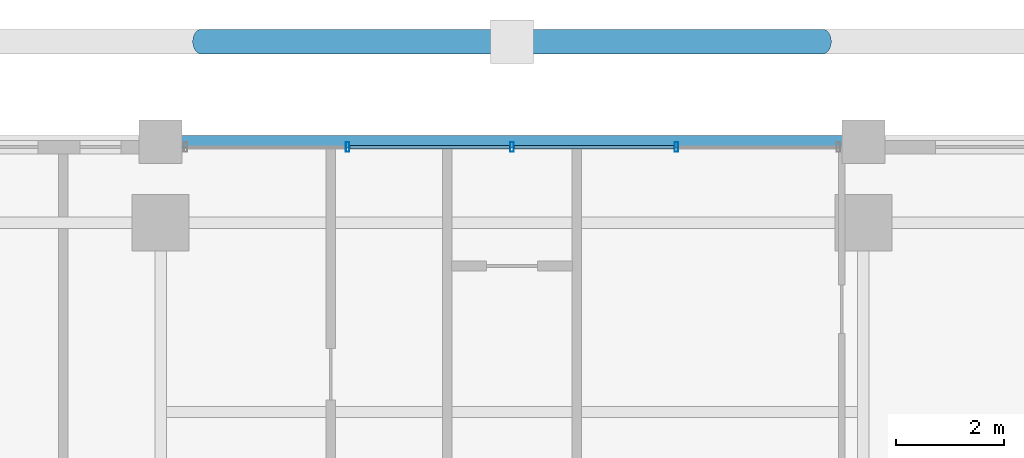
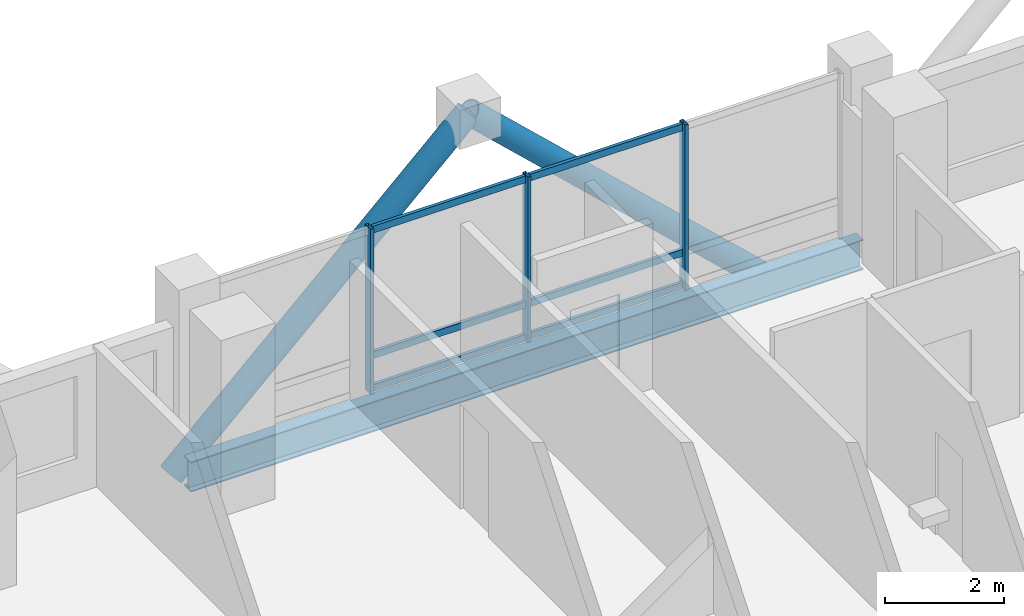
# One storey, part 15 of 24: 11 members, 1 beam, 1 element without a shape of its own.
"""IFC4 building model written with IfcOpenShell, lengths in metres."""

import ifcopenshell
import ifcopenshell.guid

model = None  # the IFC model being written
_history = None  # IfcOwnerHistory: only IFC2X3 demands one
_inside = {}  # id of a spatial element -> (the spatial element, [elements in it])
_under = {}  # id of a project, library or spatial element -> (it, [spatial elements below it])
_declared = {}  # id of a project -> (the project, [libraries it declares])
_typed = {}  # id of a type object -> (the type object, [elements of that type])
_made_of = {}  # id of a material, layer set ... -> (it, [elements and type objects made of it])


def new_model(schema):
    """Start an empty IFC model of exactly this schema.

    Asked for "IFC4X3", IfcOpenShell would pick the latest addendum, in which some entities
    have other attributes; the version numbers below select the first issue.
    IFC2X3 requires an IfcOwnerHistory on every rooted entity: one is made here for all.
    """
    global model, _history
    if schema == "IFC4X3":
        model = ifcopenshell.file(schema_version=(4, 3, 0, 0))
    else:
        model = ifcopenshell.file(schema=schema)
    _inside.clear()
    _under.clear()
    _declared.clear()
    _typed.clear()
    _made_of.clear()
    _history = None
    if model.schema == "IFC2X3":
        org = make("IfcOrganization", Name="unknown")
        user = make(
            "IfcPersonAndOrganization",
            ThePerson=make("IfcPerson", FamilyName="unknown"),
            TheOrganization=org,
        )
        app = make(
            "IfcApplication",
            ApplicationDeveloper=org,
            Version="unknown",
            ApplicationFullName="unknown",
            ApplicationIdentifier="unknown",
        )
        _history = make(
            "IfcOwnerHistory",
            OwningUser=user,
            OwningApplication=app,
            ChangeAction="ADDED",
            CreationDate=0,
        )
    return model


def make(cls, **values):
    """One entity of the class cls with the attributes given. An attribute that is None is left unset."""
    return model.create_entity(
        cls, **{name: value for name, value in values.items() if value is not None}
    )


def rooted(cls, **values):
    """An entity with a GlobalId (a new one), such as an element, a storey or a relation."""
    return make(cls, GlobalId=ifcopenshell.guid.new(), OwnerHistory=_history, **values)


def si_unit(unit_type, name, prefix=None):
    """IfcSIUnit, for example si_unit("LENGTHUNIT", "METRE", prefix="MILLI")."""
    return make("IfcSIUnit", UnitType=unit_type, Prefix=prefix, Name=name)


def assignment(units):
    """IfcUnitAssignment: the units of a project."""
    return None if units is None else make("IfcUnitAssignment", Units=units)


def point(xyz):
    """IfcCartesianPoint."""
    return None if xyz is None else make("IfcCartesianPoint", Coordinates=xyz)


def direction(xyz):
    """IfcDirection."""
    return None if xyz is None else make("IfcDirection", DirectionRatios=xyz)


def frame(location, z_axis=None, x_axis=None):
    """IfcAxis2Placement3D, a coordinate frame: its origin and axes. An axis left out is left unset."""
    return make(
        "IfcAxis2Placement3D",
        Location=point(location),
        Axis=direction(z_axis),
        RefDirection=direction(x_axis),
    )


def frame_2d(location, x_axis=None):
    """IfcAxis2Placement2D, a coordinate frame in the plane: its origin and x axis."""
    return make(
        "IfcAxis2Placement2D", Location=point(location), RefDirection=direction(x_axis)
    )


def origin():
    """The frame at (0, 0, 0) with its axes left unset."""
    return frame((0.0, 0.0, 0.0))


def origin_2d():
    """The frame at (0, 0) in the plane with its x axis left unset."""
    return frame_2d((0.0, 0.0))


def place(relative_to, where):
    """IfcLocalPlacement: puts the frame where relative to a parent placement (None: the world)."""
    return make(
        "IfcLocalPlacement", PlacementRelTo=relative_to, RelativePlacement=where
    )


def context(
    kind, dimensions, precision=None, world=None, true_north=None, identifier=None
):
    """IfcGeometricRepresentationContext, for example the 3D "Model" context."""
    return make(
        "IfcGeometricRepresentationContext",
        ContextIdentifier=identifier,
        ContextType=kind,
        CoordinateSpaceDimension=dimensions,
        Precision=precision,
        WorldCoordinateSystem=world,
        TrueNorth=true_north,
    )


def subcontext(parent, identifier, kind, view, scale=None):
    """IfcGeometricRepresentationSubContext, for example "Body" below "Model"."""
    return make(
        "IfcGeometricRepresentationSubContext",
        ContextIdentifier=identifier,
        ContextType=kind,
        ParentContext=parent,
        TargetScale=scale,
        TargetView=view,
    )


def project(units=None, contexts=None):
    """IfcProject with its units and contexts."""
    return rooted(
        "IfcProject",
        Name="project",
        RepresentationContexts=contexts,
        UnitsInContext=assignment(units),
    )


def spatial(cls, under=None, at=None, **own):
    """A site, building, storey or space (cls), placed at a placement, below another one or the project."""
    s = rooted(cls, ObjectPlacement=at, **own)
    if under is not None:
        _under.setdefault(under.id(), (under, []))[1].append(s)
    return s


def profile(cls, at=None, kind="AREA", **sizes):
    """A parametric profile (cls). Its sizes go by their IFC names, for example OverallWidth=200.0."""
    return make(cls, ProfileType=kind, Position=at, **sizes)


def hollow_rectangle(**sizes):
    """IfcRectangleHollowProfileDef."""
    return profile("IfcRectangleHollowProfileDef", **sizes)


def hollow_circle(**sizes):
    """IfcCircleHollowProfileDef."""
    return profile("IfcCircleHollowProfileDef", **sizes)


def i_section(**sizes):
    """IfcIShapeProfileDef."""
    return profile("IfcIShapeProfileDef", **sizes)


def extrude(swept, where, along, depth):
    """IfcExtrudedAreaSolid: the profile swept, set in the frame where, extruded along a direction by depth."""
    return make(
        "IfcExtrudedAreaSolid",
        SweptArea=swept,
        Position=where,
        ExtrudedDirection=direction(along),
        Depth=depth,
    )


def shape(context_of_items, identifier, shape_type, items):
    """IfcShapeRepresentation: the items that make up one representation, for example the "Body"."""
    return make(
        "IfcShapeRepresentation",
        ContextOfItems=context_of_items,
        RepresentationIdentifier=identifier,
        RepresentationType=shape_type,
        Items=items,
    )


def material(Name=None, Category=None):
    """IfcMaterial."""
    return make("IfcMaterial", Name=Name, Category=Category)


def layer(
    of_material, thickness, ventilated=None, Name=None, Category=None, Priority=None
):
    """IfcMaterialLayer: one layer of a wall or slab, of a material (None: an air gap)."""
    return make(
        "IfcMaterialLayer",
        Material=of_material,
        LayerThickness=thickness,
        IsVentilated=ventilated,
        Name=Name,
        Category=Category,
        Priority=Priority,
    )


def layer_set(layers, Name=None):
    """IfcMaterialLayerSet."""
    return make("IfcMaterialLayerSet", MaterialLayers=layers, LayerSetName=Name)


def material_profile(
    of_material, cross_section, Name=None, Category=None, Priority=None
):
    """IfcMaterialProfile: a cross section and its material."""
    return make(
        "IfcMaterialProfile",
        Name=Name,
        Material=of_material,
        Profile=cross_section,
        Priority=Priority,
        Category=Category,
    )


def profile_set(profiles, Name=None, composite=None):
    """IfcMaterialProfileSet."""
    return make(
        "IfcMaterialProfileSet",
        Name=Name,
        MaterialProfiles=profiles,
        CompositeProfile=composite,
    )


def made_of(thing, what):
    """Note that an element or type object is made of a material, layer set ...; save() writes the relation."""
    if what is not None:
        _made_of.setdefault(what.id(), (what, []))[1].append(thing)
    return thing


def type_object(cls, material=None, **own):
    """A type object (cls), such as IfcWallType, which elements share."""
    return made_of(rooted(cls, **own), material)


def element(
    cls,
    number,
    at=None,
    inside=None,
    cuts=None,
    type_object=None,
    material=None,
    context=None,
    identifier="Body",
    shape_type=None,
    held_by="IfcProductDefinitionShape",
    body=None,
    shapes=None,
    **own,
):
    """One element of the class cls, such as IfcWall. Its Tag is "e" and its number.

    at: its placement. inside: the storey or other place that contains it. cuts: it is an
    opening in that element (IfcRelVoidsElement). A single representation is given by context,
    identifier, shape_type and body (its items); several are given by shapes. held_by: the class
    of the entity that holds the representations. save() writes the other relations.
    """
    e = rooted(cls, Tag="e%d" % number, ObjectPlacement=at, **own)
    if body is not None:
        shapes = [shape(context, identifier, shape_type, body)]
    if shapes is not None:
        e.Representation = make(held_by, Representations=shapes)
    if inside is not None:
        _inside.setdefault(inside.id(), (inside, []))[1].append(e)
    if cuts is not None:
        rooted(
            "IfcRelVoidsElement", RelatingBuildingElement=cuts, RelatedOpeningElement=e
        )
    if type_object is not None:
        _typed.setdefault(type_object.id(), (type_object, []))[1].append(e)
    return made_of(e, material)


def aggregate(whole, parts):
    """IfcRelAggregates: a whole, such as a stair, and the parts it consists of."""
    return rooted("IfcRelAggregates", RelatingObject=whole, RelatedObjects=parts)


def save(model, path):
    """Write the relations noted so far, then the file.

    IfcRelAggregates (storeys below a building ...), IfcRelContainedInSpatialStructure (elements
    in a storey), IfcRelDefinesByType, IfcRelAssociatesMaterial and IfcRelDeclares: one each for
    every whole, place, type object, material and project.
    """
    for whole, parts in _under.values():
        aggregate(whole, parts)
    for where, things in _inside.values():
        rooted(
            "IfcRelContainedInSpatialStructure",
            RelatedElements=things,
            RelatingStructure=where,
        )
    for kind, things in _typed.values():
        rooted("IfcRelDefinesByType", RelatedObjects=things, RelatingType=kind)
    for what, things in _made_of.values():
        rooted("IfcRelAssociatesMaterial", RelatedObjects=things, RelatingMaterial=what)
    for by, libraries in _declared.values():
        rooted("IfcRelDeclares", RelatingContext=by, RelatedDefinitions=libraries)
    model.write(path)


model = new_model("IFC4")

# Units and contexts
model_context = context("Model", 3, precision=1e-05, world=origin(), true_north=direction((0.0, 1.0)))
body_context = subcontext(model_context, "Body", "Model", "MODEL_VIEW")
ifc_project = project(units=[si_unit("LENGTHUNIT", "METRE"), si_unit("AREAUNIT", "SQUARE_METRE"), si_unit("VOLUMEUNIT", "CUBIC_METRE"), si_unit("PLANEANGLEUNIT", "RADIAN"), si_unit("MASSUNIT", "GRAM", prefix="KILO")], contexts=[model_context])

# Site, building, storey
site_placement = place(None, origin())
site = spatial("IfcSite", under=ifc_project, at=site_placement, CompositionType="ELEMENT")
building_placement = place(site_placement, origin())
building = spatial("IfcBuilding", under=site, at=building_placement, Name="Barlavira Tower and Art Museum", CompositionType="ELEMENT")
storey_placement = place(building_placement, frame((0.0, 0.0, 172.800048828125)))
storey = spatial("IfcBuildingStorey", under=building, at=storey_placement, Name="L44", CompositionType="ELEMENT", Elevation=172.800048828125)

# Curtain wall, members
ifc_material_1 = material(Name="Low-iron coastal laminated glass", Category="glass")
ifc_layer = layer(ifc_material_1, 0.199951171875, Name="Low-iron coastal laminated glass")
ifc_layer_set = layer_set([ifc_layer], Name="Low-iron coastal laminated glass")
curtain_wall_type = type_object("IfcCurtainWallType", Name="Pale-Metal Unitised Curtain Wall Zone 3", PredefinedType="NOTDEFINED", material=ifc_layer_set)
curtain_wall_placement = place(storey_placement, origin())
curtain_wall = element("IfcCurtainWall", 1, at=curtain_wall_placement, inside=storey, type_object=curtain_wall_type, Name="L44 Curtain Wall CW3-L44-N-B3", PredefinedType="NOTDEFINED")
ifc_material_2 = material(Name="Pale anodised aluminium", Category="aluminium")
ifc_material_profile_1 = material_profile(ifc_material_2, hollow_rectangle(XDim=0.06494140625, YDim=0.179931640625, WallThickness=0.00390625, at=origin_2d()), Name="ALU-MULL 65x180x4")
ifc_profile_set_1 = profile_set([ifc_material_profile_1], Name="Pale anodised aluminium")
member_type_1 = type_object("IfcMemberType", Name="Curtain Wall Pale-Metal Mullion 65x180", PredefinedType="MULLION", material=ifc_profile_set_1)
member_1_placement = place(storey_placement, frame((3.0400390625, 21.39990234375, 0.0), z_axis=(0.0, 0.0, 1.0), x_axis=(-1.0, 0.0, 0.0)))
member_1 = element("IfcMember", 2, at=member_1_placement, type_object=member_type_1, Name="CW3-L44-N-B3 Mullion 1", PredefinedType="MULLION", context=body_context, shape_type="SweptSolid", body=[
    extrude(hollow_rectangle(XDim=0.06494140625, YDim=0.179931640625, WallThickness=0.00390625, at=origin_2d()), origin(), (0.0, 0.0, 1.0), 3.3798828125),
])
member_2_placement = place(storey_placement, frame((0.0, 21.39990234375, 0.0), z_axis=(0.0, 0.0, 1.0), x_axis=(-1.0, 0.0, 0.0)))
member_2 = element("IfcMember", 3, at=member_2_placement, type_object=member_type_1, Name="CW3-L44-N-B3 Mullion 2", PredefinedType="MULLION", context=body_context, shape_type="SweptSolid", body=[
    extrude(hollow_rectangle(XDim=0.06494140625, YDim=0.179931640625, WallThickness=0.00390625, at=origin_2d()), origin(), (0.0, 0.0, 1.0), 3.3798828125),
])
member_3_placement = place(storey_placement, frame((-3.0400390625, 21.39990234375, 0.0), z_axis=(0.0, 0.0, 1.0), x_axis=(-1.0, 0.0, 0.0)))
member_3 = element("IfcMember", 4, at=member_3_placement, type_object=member_type_1, Name="CW3-L44-N-B3 Mullion 3", PredefinedType="MULLION", context=body_context, shape_type="SweptSolid", body=[
    extrude(hollow_rectangle(XDim=0.06494140625, YDim=0.179931640625, WallThickness=0.00390625, at=origin_2d()), origin(), (0.0, 0.0, 1.0), 3.3798828125),
])
ifc_material_profile_2 = material_profile(ifc_material_2, hollow_rectangle(XDim=0.06494140625, YDim=0.139892578125, WallThickness=0.00390625, at=origin_2d()), Name="ALU-TRAN 65x140x4")
ifc_profile_set_2 = profile_set([ifc_material_profile_2], Name="Pale anodised aluminium")
member_type_2 = type_object("IfcMemberType", Name="Curtain Wall Pale-Metal Transom 65x140", PredefinedType="USERDEFINED", material=ifc_profile_set_2)
member_4_placement = place(storey_placement, frame((2.9951171875, 21.39990234375, 0.070068359375), z_axis=(-1.0, 0.0, 0.0), x_axis=(0.0, -1.0, 0.0)))
member_4 = element("IfcMember", 5, at=member_4_placement, type_object=member_type_2, Name="CW3-L44-N-B3 Transom 1.1", ObjectType="TRANSOM", PredefinedType="USERDEFINED", context=body_context, shape_type="SweptSolid", body=[
    extrude(hollow_rectangle(XDim=0.06494140625, YDim=0.139892578125, WallThickness=0.00390625, at=origin_2d()), origin(), (0.0, 0.0, 1.0), 2.9501953125),
])
member_5_placement = place(storey_placement, frame((2.9951171875, 21.39990234375, 0.743896484375), z_axis=(-1.0, 0.0, 0.0), x_axis=(0.0, -1.0, 0.0)))
member_5 = element("IfcMember", 6, at=member_5_placement, type_object=member_type_2, Name="CW3-L44-N-B3 Transom 1.2", ObjectType="TRANSOM", PredefinedType="USERDEFINED", context=body_context, shape_type="SweptSolid", body=[
    extrude(hollow_rectangle(XDim=0.06494140625, YDim=0.139892578125, WallThickness=0.00390625, at=origin_2d()), origin(), (0.0, 0.0, 1.0), 2.9501953125),
])
member_6_placement = place(storey_placement, frame((2.9951171875, 21.39990234375, 3.31005859375), z_axis=(-1.0, 0.0, 0.0), x_axis=(0.0, -1.0, 0.0)))
member_6 = element("IfcMember", 7, at=member_6_placement, type_object=member_type_2, Name="CW3-L44-N-B3 Transom 1.3", ObjectType="TRANSOM", PredefinedType="USERDEFINED", context=body_context, shape_type="SweptSolid", body=[
    extrude(hollow_rectangle(XDim=0.06494140625, YDim=0.139892578125, WallThickness=0.00390625, at=origin_2d()), origin(), (0.0, 0.0, 1.0), 2.9501953125),
])
member_7_placement = place(storey_placement, frame((-0.044921875, 21.39990234375, 0.070068359375), z_axis=(-1.0, 0.0, 0.0), x_axis=(0.0, -1.0, 0.0)))
member_7 = element("IfcMember", 8, at=member_7_placement, type_object=member_type_2, Name="CW3-L44-N-B3 Transom 2.1", ObjectType="TRANSOM", PredefinedType="USERDEFINED", context=body_context, shape_type="SweptSolid", body=[
    extrude(hollow_rectangle(XDim=0.06494140625, YDim=0.139892578125, WallThickness=0.00390625, at=origin_2d()), origin(), (0.0, 0.0, 1.0), 2.9501953125),
])
member_8_placement = place(storey_placement, frame((-0.044921875, 21.39990234375, 0.743896484375), z_axis=(-1.0, 0.0, 0.0), x_axis=(0.0, -1.0, 0.0)))
member_8 = element("IfcMember", 9, at=member_8_placement, type_object=member_type_2, Name="CW3-L44-N-B3 Transom 2.2", ObjectType="TRANSOM", PredefinedType="USERDEFINED", context=body_context, shape_type="SweptSolid", body=[
    extrude(hollow_rectangle(XDim=0.06494140625, YDim=0.139892578125, WallThickness=0.00390625, at=origin_2d()), origin(), (0.0, 0.0, 1.0), 2.9501953125),
])
member_9_placement = place(storey_placement, frame((-0.044921875, 21.39990234375, 3.31005859375), z_axis=(-1.0, 0.0, 0.0), x_axis=(0.0, -1.0, 0.0)))
member_9 = element("IfcMember", 10, at=member_9_placement, type_object=member_type_2, Name="CW3-L44-N-B3 Transom 2.3", ObjectType="TRANSOM", PredefinedType="USERDEFINED", context=body_context, shape_type="SweptSolid", body=[
    extrude(hollow_rectangle(XDim=0.06494140625, YDim=0.139892578125, WallThickness=0.00390625, at=origin_2d()), origin(), (0.0, 0.0, 1.0), 2.9501953125),
])
aggregate(curtain_wall, [member_1, member_2, member_3, member_4, member_5, member_6, member_7, member_8, member_9])

# Members
ifc_material_3 = material(Name="Steel S355", Category="steel")
ifc_material_profile_3 = material_profile(ifc_material_3, hollow_circle(Radius=0.228515625, WallThickness=0.02001953125, at=origin_2d()), Name="CHS 457.0x20.0")
ifc_profile_set_3 = profile_set([ifc_material_profile_3], Name="Steel S355")
member_type_3 = type_object("IfcMemberType", Name="Pale-Metal Exoskeleton Diagrid Tube CHS 457x20 Steel S355", PredefinedType="BRACE", material=ifc_profile_set_3)
for number, where, z_axis, x_axis, name in (
    (11, (-5.75, 23.35009765625, -1.920166015625), (0.728934650808, 0.0, 0.684583285548), (0.0, 1.0, 0.0), "L44 Exoskeleton Diagrid Tube N"),
    (12, (5.75, 23.35009765625, -1.920166015625), (-0.728934650808, 0.0, 0.684583285548), (0.0, -1.0, 0.0), "L44 Exoskeleton Diagrid Tube N"),
):
    element("IfcMember", number, at=place(storey_placement, frame(where, z_axis=z_axis, x_axis=x_axis)), inside=storey, type_object=member_type_3, Name=name, PredefinedType="BRACE", context=body_context, shape_type="SweptSolid", body=[
        extrude(hollow_circle(Radius=0.228515625, WallThickness=0.02001953125, at=origin_2d()), origin(), (0.0, 0.0, 1.0), 7.88818359375),
    ])

# Beam
ifc_material_profile_4 = material_profile(ifc_material_3, i_section(OverallWidth=0.22998046875, OverallDepth=0.616943359375, WebThickness=0.01318359375, FlangeThickness=0.022216796875, at=origin_2d()), Name="W610x140.0")
ifc_profile_set_4 = profile_set([ifc_material_profile_4], Name="Steel S355")
beam_type = type_object("IfcBeamType", Name="Upper Shaft Spandrel Edge Beam W610x140 Steel S355", PredefinedType="SPANDREL", material=ifc_profile_set_4)
beam_placement = place(storey_placement, frame((-6.5, 21.5, -0.528564453125), z_axis=(1.0, 0.0, 0.0), x_axis=(0.0, 1.0, 0.0)))
element("IfcBeam", 13, at=beam_placement, inside=storey, type_object=beam_type, Name="L44 Spandrel 10", PredefinedType="SPANDREL", context=body_context, shape_type="SweptSolid", body=[
    extrude(i_section(OverallWidth=0.22998046875, OverallDepth=0.616943359375, WebThickness=0.01318359375, FlangeThickness=0.022216796875, at=origin_2d()), origin(), (0.0, 0.0, 1.0), 13.0),
])

save(model, "model.ifc")
